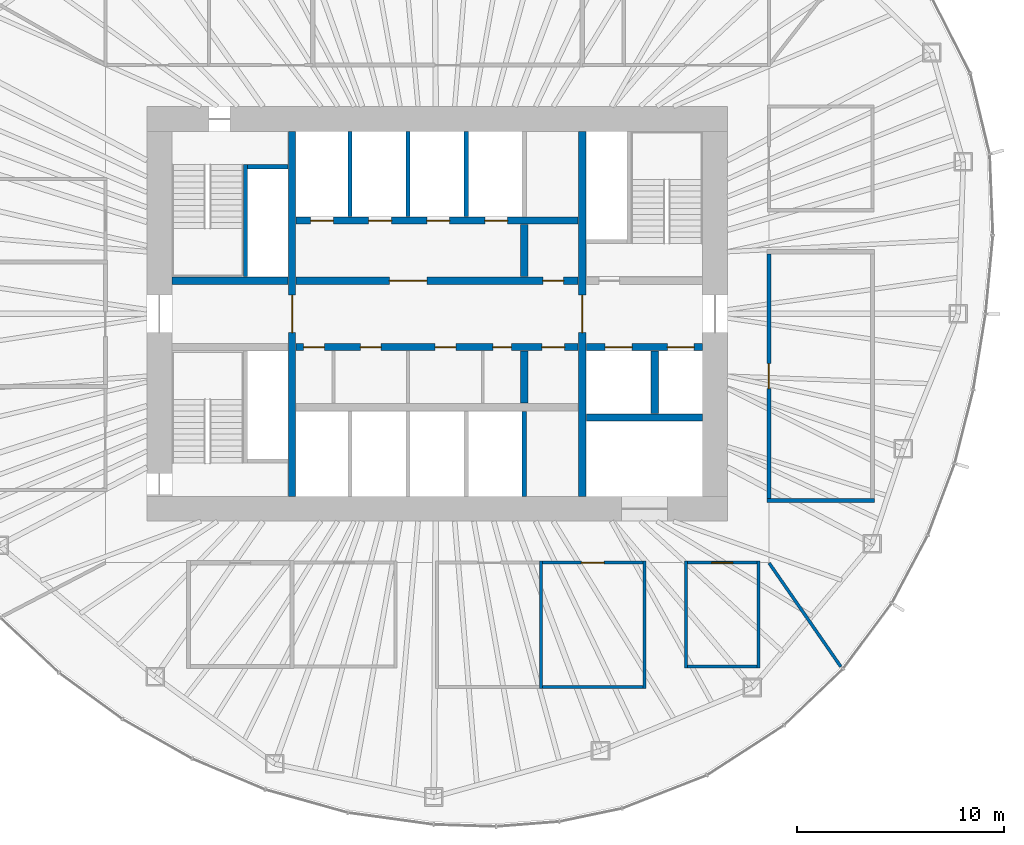
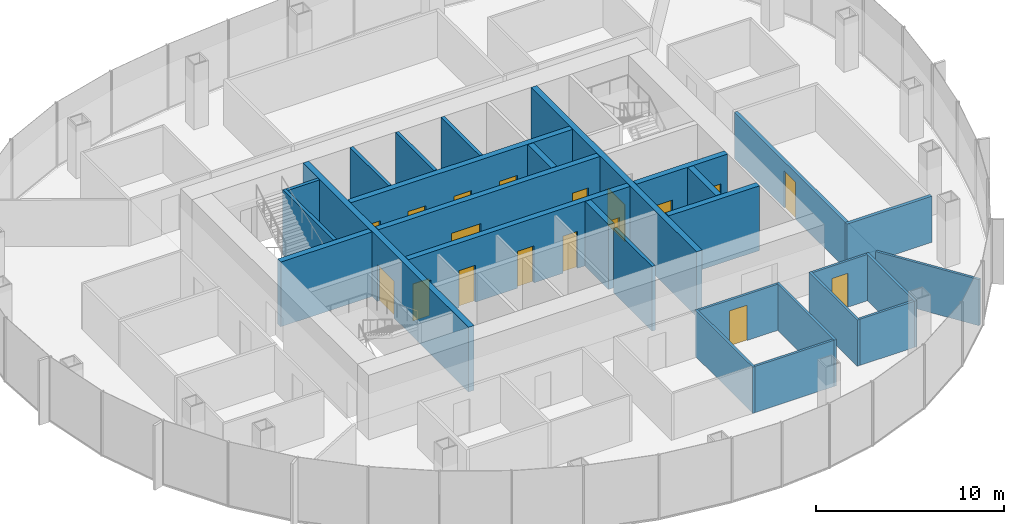
# One storey, part 9 of 11: 28 walls, 18 doors, 18 openings.
"""IFC4 building model written with IfcOpenShell, lengths in metres."""

from ifc_helpers import new_model, si_unit, direction, frame, frame_2d, origin, place, context, subcontext, project, spatial, rectangle, extrude, material, layer, layer_set, type_object, element, fill, save


model = new_model("IFC4")

# Units and contexts
model_context = context("Model", 3, precision=1e-05, world=origin(), true_north=direction((0.0, 1.0)))
body_context = subcontext(model_context, "Body", "Model", "MODEL_VIEW")
ifc_project = project(units=[si_unit("LENGTHUNIT", "METRE"), si_unit("AREAUNIT", "SQUARE_METRE"), si_unit("VOLUMEUNIT", "CUBIC_METRE"), si_unit("PLANEANGLEUNIT", "RADIAN"), si_unit("MASSUNIT", "GRAM", prefix="KILO")], contexts=[model_context])

# Site, building, storey
site_placement = place(None, origin())
site = spatial("IfcSite", under=ifc_project, at=site_placement, CompositionType="ELEMENT")
building_placement = place(site_placement, origin())
building = spatial("IfcBuilding", under=site, at=building_placement, Name="Ghaith Harvest Tower", CompositionType="ELEMENT")
storey_placement = place(building_placement, frame((0.0, 0.0, 262.0)))
storey = spatial("IfcBuildingStorey", under=building, at=storey_placement, Name="L58", CompositionType="ELEMENT", Elevation=262.0)

# Wall
ifc_material_1 = material(Name="Twin-stud gypsum board, acoustic", Category="gypsum")
ifc_layer_1 = layer(ifc_material_1, 0.199951171875)
ifc_layer_set_1 = layer_set([ifc_layer_1], Name="ACOUSTIC PARTITION 200")
wall_type_1 = type_object("IfcWallType", Name="ACOUSTIC PARTITION 200", PredefinedType="PARTITIONING", material=ifc_layer_set_1)
wall_1_placement = place(storey_placement, frame((15.89990234375, -9.0, 0.0), z_axis=(0.0, 0.0, 1.0), x_axis=(1.0, 0.0, 0.0)))
element("IfcWall", 1, at=wall_1_placement, inside=storey, type_object=wall_type_1, Name="Partition L58 row E4 cross wall 1", PredefinedType="PARTITIONING", context=body_context, shape_type="SweptSolid", body=[
    extrude(rectangle(XDim=5.2001953125, YDim=0.199951171875, at=frame_2d((2.60009765625, 0.0))), origin(), (0.0, 0.0, 1.0), 3.0),
])

# Wall, opening, door
wall_2_placement = place(storey_placement, frame((16.0, -8.89990234375, 0.0), z_axis=(0.0, 0.0, 1.0), x_axis=(0.0, 1.0, 0.0)))
wall_2 = element("IfcWall", 2, at=wall_2_placement, inside=storey, type_object=wall_type_1, Name="Partition L58-04", PredefinedType="PARTITIONING", context=body_context, shape_type="SweptSolid", body=[
    extrude(rectangle(XDim=11.7998046875, YDim=0.199951171875, at=frame_2d((5.89990234375, 0.0))), origin(), (0.0, 0.0, 1.0), 3.0),
])
opening_1_placement = place(wall_2_placement, frame((5.300048828125, 0.0, 0.0)))
opening_1 = element("IfcOpeningElement", 3, at=opening_1_placement, cuts=wall_2, Name="Opening 58-025", PredefinedType="OPENING", context=body_context, shape_type="SweptSolid", body=[
    extrude(rectangle(XDim=1.199951171875, YDim=2.39990234375, at=frame_2d((0.60009765625, 1.199951171875))), frame((0.0, 0.10986328125, 0.0), z_axis=(0.0, -1.0, 0.0), x_axis=(1.0, 0.0, 0.0)), (0.0, 0.0, 1.0), 0.219970703125),
])
ifc_material_2 = material(Name="Timber door", Category="wood")
door_type_1 = type_object("IfcDoorType", Name="D11 GLAZED 1200x2400", OperationType="SINGLE_SWING_LEFT", PredefinedType="DOOR", material=ifc_material_2)
door_1_placement = place(opening_1_placement, origin())
door_1 = element("IfcDoor", 4, at=door_1_placement, inside=storey, type_object=door_type_1, Name="Majlis reception room door", OperationType="SINGLE_SWING_LEFT", OverallHeight=2.39990234375, OverallWidth=1.199951171875, PredefinedType="DOOR", context=body_context, shape_type="SweptSolid", body=[
    extrude(rectangle(XDim=1.199951171875, YDim=2.39990234375, at=frame_2d((0.60009765625, 1.199951171875))), frame((0.0, 0.02490234375, 0.0), z_axis=(0.0, -1.0, 0.0), x_axis=(1.0, 0.0, 0.0)), (0.0, 0.0, 1.0), 0.050048828125),
])
fill(opening_1, door_1)

# Walls
ifc_material_3 = material(Name="Concrete blockwork, 2-hour", Category="masonry")
ifc_layer_2 = layer(ifc_material_3, 0.199951171875)
ifc_layer_set_2 = layer_set([ifc_layer_2], Name="LIFT SHAFT WALL 200")
wall_type_2 = type_object("IfcWallType", Name="LIFT SHAFT WALL 200", PredefinedType="PARTITIONING", material=ifc_layer_set_2)
for number, where, z_axis, x_axis, name in (
    (5, (-4.199951171875, 4.699951171875, 0.0), (0.0, 0.0, 1.0), (0.0, 1.0, 0.0), "Lift shaft wall L58"),
    (6, (-1.39990234375, 4.699951171875, 0.0), (0.0, 0.0, 1.0), (0.0, 1.0, 0.0), "Lift shaft wall L58"),
    (7, (1.39990234375, 4.699951171875, 0.0), (0.0, 0.0, 1.0), (0.0, 1.0, 0.0), "Lift shaft wall L58"),
    (8, (4.199951171875, -4.699951171875, 0.0), (0.0, 0.0, 1.0), (0.0, -1.0, 0.0), "Lift shaft wall L58"),
):
    element("IfcWall", number, at=place(storey_placement, frame(where, z_axis=z_axis, x_axis=x_axis)), inside=storey, type_object=wall_type_2, Name=name, PredefinedType="PARTITIONING", context=body_context, shape_type="SweptSolid", body=[
        extrude(rectangle(XDim=4.10009765625, YDim=0.199951171875, at=frame_2d((2.050048828125, 0.0))), origin(), (0.0, 0.0, 1.0), 4.199951171875),
    ])
ifc_material_4 = material(Name="Gypsum board on steel studs", Category="steel")
ifc_layer_3 = layer(ifc_material_4, 0.14990234375)
ifc_layer_set_3 = layer_set([ifc_layer_3], Name="PARTITION 150")
wall_type_3 = type_object("IfcWallType", Name="PARTITION 150", PredefinedType="PARTITIONING", material=ifc_layer_set_3)
for number, where, z_axis, x_axis, name in (
    (9, (5.0, -11.925048828125, 0.0), (0.0, 0.0, 1.0), (0.0, -1.0, 0.0), "Partition L58 row S6 cross wall 2"),
    (10, (10.0, -11.925048828125, 0.0), (0.0, 0.0, 1.0), (0.0, -1.0, 0.0), "Partition L58 row S6 cross wall 3"),
):
    element("IfcWall", number, at=place(storey_placement, frame(where, z_axis=z_axis, x_axis=x_axis)), inside=storey, type_object=wall_type_3, Name=name, PredefinedType="PARTITIONING", context=body_context, shape_type="SweptSolid", body=[
        extrude(rectangle(XDim=6.14990234375, YDim=0.14990234375, at=frame_2d((3.074951171875, 0.0))), origin(), (0.0, 0.0, 1.0), 3.0),
    ])

# Wall, opening, door
wall_3_placement = place(storey_placement, frame((5.074951171875, -12.0, 0.0), z_axis=(0.0, 0.0, 1.0), x_axis=(1.0, 0.0, 0.0)))
wall_3 = element("IfcWall", 11, at=wall_3_placement, inside=storey, type_object=wall_type_3, Name="Partition L58-08", PredefinedType="PARTITIONING", context=body_context, shape_type="SweptSolid", body=[
    extrude(rectangle(XDim=4.85009765625, YDim=0.14990234375, at=frame_2d((2.425048828125, 0.0))), origin(), (0.0, 0.0, 1.0), 3.0),
])
opening_2_placement = place(wall_3_placement, frame((1.875, 0.0, 0.0)))
opening_2 = element("IfcOpeningElement", 12, at=opening_2_placement, cuts=wall_3, Name="Opening 58-029", PredefinedType="OPENING", context=body_context, shape_type="SweptSolid", body=[
    extrude(rectangle(XDim=1.10009765625, YDim=2.300048828125, at=frame_2d((0.550048828125, 1.14990234375))), frame((0.0, 0.0849609375, 0.0), z_axis=(0.0, -1.0, 0.0), x_axis=(1.0, 0.0, 0.0)), (0.0, 0.0, 1.0), 0.169921875),
])
ifc_material_5 = material(Name="Timber-framed glazed door", Category="wood")
door_type_2 = type_object("IfcDoorType", Name="D12 GLAZED OFFICE 1100x2300", OperationType="SINGLE_SWING_LEFT", PredefinedType="DOOR", material=ifc_material_5)
door_2_placement = place(opening_2_placement, origin())
door_2 = element("IfcDoor", 13, at=door_2_placement, inside=storey, type_object=door_type_2, Name="Office door", OperationType="SINGLE_SWING_LEFT", OverallHeight=2.300048828125, OverallWidth=1.10009765625, PredefinedType="DOOR", context=body_context, shape_type="SweptSolid", body=[
    extrude(rectangle(XDim=1.10009765625, YDim=2.300048828125, at=frame_2d((0.550048828125, 1.14990234375))), frame((0.0, 0.02490234375, 0.0), z_axis=(0.0, -1.0, 0.0), x_axis=(1.0, 0.0, 0.0)), (0.0, 0.0, 1.0), 0.050048828125),
])
fill(opening_2, door_2)

# Walls
wall_4_placement = place(storey_placement, frame((5.074951171875, -18.0, 0.0), z_axis=(0.0, 0.0, 1.0), x_axis=(1.0, 0.0, 0.0)))
element("IfcWall", 14, at=wall_4_placement, inside=storey, type_object=wall_type_3, Name="Partition L58-08", PredefinedType="PARTITIONING", context=body_context, shape_type="SweptSolid", body=[
    extrude(rectangle(XDim=4.85009765625, YDim=0.14990234375, at=frame_2d((2.425048828125, 0.0))), origin(), (0.0, 0.0, 1.0), 3.0),
])
for number, where, z_axis, x_axis, name in (
    (15, (12.0, -11.925048828125, 0.0), (0.0, 0.0, 1.0), (0.0, -1.0, 0.0), "Partition L58 row S8 cross wall 1"),
    (16, (15.5, -11.925048828125, 0.0), (0.0, 0.0, 1.0), (0.0, -1.0, 0.0), "Partition L58 row S8 cross wall 2"),
):
    element("IfcWall", number, at=place(storey_placement, frame(where, z_axis=z_axis, x_axis=x_axis)), inside=storey, type_object=wall_type_3, Name=name, PredefinedType="PARTITIONING", context=body_context, shape_type="SweptSolid", body=[
        extrude(rectangle(XDim=5.14990234375, YDim=0.14990234375, at=frame_2d((2.574951171875, 0.0))), origin(), (0.0, 0.0, 1.0), 3.0),
    ])

# Wall, opening, door
wall_5_placement = place(storey_placement, frame((12.074951171875, -12.0, 0.0), z_axis=(0.0, 0.0, 1.0), x_axis=(1.0, 0.0, 0.0)))
wall_5 = element("IfcWall", 17, at=wall_5_placement, inside=storey, type_object=wall_type_3, Name="Partition L58-12", PredefinedType="PARTITIONING", context=body_context, shape_type="SweptSolid", body=[
    extrude(rectangle(XDim=3.35009765625, YDim=0.14990234375, at=frame_2d((1.675048828125, 0.0))), origin(), (0.0, 0.0, 1.0), 3.0),
])
opening_3_placement = place(wall_5_placement, frame((1.175048828125, 0.0, 0.0)))
opening_3 = element("IfcOpeningElement", 18, at=opening_3_placement, cuts=wall_5, Name="Opening 58-033", PredefinedType="OPENING", context=body_context, shape_type="SweptSolid", body=[
    extrude(rectangle(XDim=1.0, YDim=2.199951171875, at=frame_2d((0.5, 1.10009765625))), frame((0.0, 0.0849609375, 0.0), z_axis=(0.0, -1.0, 0.0), x_axis=(1.0, 0.0, 0.0)), (0.0, 0.0, 1.0), 0.169921875),
])
ifc_material_6 = material(Name="Timber door", Category="wood")
door_type_3 = type_object("IfcDoorType", Name="D1 SINGLE 1000x2200", OperationType="SINGLE_SWING_LEFT", PredefinedType="DOOR", material=ifc_material_6)
door_3_placement = place(opening_3_placement, origin())
door_3 = element("IfcDoor", 19, at=door_3_placement, inside=storey, type_object=door_type_3, Name="Store door", OperationType="SINGLE_SWING_LEFT", OverallHeight=2.199951171875, OverallWidth=1.0, PredefinedType="DOOR", context=body_context, shape_type="SweptSolid", body=[
    extrude(rectangle(XDim=1.0, YDim=2.199951171875, at=frame_2d((0.5, 1.10009765625))), frame((0.0, 0.02490234375, 0.0), z_axis=(0.0, -1.0, 0.0), x_axis=(1.0, 0.0, 0.0)), (0.0, 0.0, 1.0), 0.050048828125),
])
fill(opening_3, door_3)

# Walls
wall_6_placement = place(storey_placement, frame((12.074951171875, -17.0, 0.0), z_axis=(0.0, 0.0, 1.0), x_axis=(1.0, 0.0, 0.0)))
element("IfcWall", 20, at=wall_6_placement, inside=storey, type_object=wall_type_3, Name="Partition L58-12", PredefinedType="PARTITIONING", context=body_context, shape_type="SweptSolid", body=[
    extrude(rectangle(XDim=3.35009765625, YDim=0.14990234375, at=frame_2d((1.675048828125, 0.0))), origin(), (0.0, 0.0, 1.0), 3.0),
])
wall_7_placement = place(storey_placement, frame((16.011474609375, -12.016357421875, 0.0), z_axis=(0.0, 0.0, 1.0), x_axis=(0.568863489071, -0.822431961199, 0.0)))
element("IfcWall", 21, at=wall_7_placement, inside=storey, type_object=wall_type_3, Name="Partition L58 zone division", PredefinedType="PARTITIONING", context=body_context, shape_type="SweptSolid", body=[
    extrude(rectangle(XDim=6.0830078125, YDim=0.14990234375, at=frame_2d((3.04150390625, 0.0))), origin(), (0.0, 0.0, 1.0), 3.0),
])

# Wall, opening, door
ifc_material_7 = material(Name="Concrete C60/75", Category="concrete")
ifc_layer_4 = layer(ifc_material_7, 0.35009765625)
ifc_layer_set_4 = layer_set([ifc_layer_4], Name="SHAFT WALL 350")
wall_type_4 = type_object("IfcWallType", Name="SHAFT WALL 350", PredefinedType="SHEAR", material=ifc_layer_set_4)
wall_8_placement = place(storey_placement, frame((-7.0, -8.800048828125, 0.0), z_axis=(0.0, 0.0, 1.0), x_axis=(0.0, 1.0, 0.0)))
wall_8 = element("IfcWall", 22, at=wall_8_placement, inside=storey, type_object=wall_type_4, Name="Shaft wall W7W L58", PredefinedType="SHEAR", context=body_context, shape_type="SweptSolid", body=[
    extrude(rectangle(XDim=17.60009765625, YDim=0.35009765625, at=frame_2d((8.800048828125, 0.0))), origin(), (0.0, 0.0, 1.0), 4.199951171875),
])
opening_4_placement = place(wall_8_placement, frame((7.89990234375, 0.0, 0.0)))
opening_4 = element("IfcOpeningElement", 23, at=opening_4_placement, cuts=wall_8, Name="Opening 58-003", PredefinedType="OPENING", context=body_context, shape_type="SweptSolid", body=[
    extrude(rectangle(XDim=1.800048828125, YDim=2.39990234375, at=frame_2d((0.89990234375, 1.199951171875))), frame((0.0, 0.18505859375, 0.0), z_axis=(0.0, -1.0, 0.0), x_axis=(1.0, 0.0, 0.0)), (0.0, 0.0, 1.0), 0.3701171875),
])
ifc_material_8 = material(Name="Steel fire door", Category="steel")
door_type_4 = type_object("IfcDoorType", Name="D4 FD90 PAIR 1800x2400", OperationType="DOUBLE_DOOR_SINGLE_SWING", PredefinedType="DOOR", material=ifc_material_8)
door_4_placement = place(opening_4_placement, origin())
door_4 = element("IfcDoor", 24, at=door_4_placement, inside=storey, type_object=door_type_4, Name="Lift lobby doors, west", OperationType="DOUBLE_DOOR_SINGLE_SWING", OverallHeight=2.39990234375, OverallWidth=1.800048828125, PredefinedType="DOOR", context=body_context, shape_type="SweptSolid", body=[
    extrude(rectangle(XDim=1.800048828125, YDim=2.39990234375, at=frame_2d((0.89990234375, 1.199951171875))), frame((0.0, 0.02490234375, 0.0), z_axis=(0.0, -1.0, 0.0), x_axis=(1.0, 0.0, 0.0)), (0.0, 0.0, 1.0), 0.050048828125),
])
fill(opening_4, door_4)

wall_9_placement = place(storey_placement, frame((7.0, -8.800048828125, 0.0), z_axis=(0.0, 0.0, 1.0), x_axis=(0.0, 1.0, 0.0)))
wall_9 = element("IfcWall", 25, at=wall_9_placement, inside=storey, type_object=wall_type_4, Name="Shaft wall W7E L58", PredefinedType="SHEAR", context=body_context, shape_type="SweptSolid", body=[
    extrude(rectangle(XDim=17.60009765625, YDim=0.35009765625, at=frame_2d((8.800048828125, 0.0))), origin(), (0.0, 0.0, 1.0), 4.199951171875),
])
opening_5_placement = place(wall_9_placement, frame((7.89990234375, 0.0, 0.0)))
opening_5 = element("IfcOpeningElement", 26, at=opening_5_placement, cuts=wall_9, Name="Opening 58-004", PredefinedType="OPENING", context=body_context, shape_type="SweptSolid", body=[
    extrude(rectangle(XDim=1.800048828125, YDim=2.39990234375, at=frame_2d((0.89990234375, 1.199951171875))), frame((0.0, 0.18505859375, 0.0), z_axis=(0.0, -1.0, 0.0), x_axis=(1.0, 0.0, 0.0)), (0.0, 0.0, 1.0), 0.3701171875),
])
door_5_placement = place(opening_5_placement, origin())
door_5 = element("IfcDoor", 27, at=door_5_placement, inside=storey, type_object=door_type_4, Name="Lift lobby doors, east", OperationType="DOUBLE_DOOR_SINGLE_SWING", OverallHeight=2.39990234375, OverallWidth=1.800048828125, PredefinedType="DOOR", context=body_context, shape_type="SweptSolid", body=[
    extrude(rectangle(XDim=1.800048828125, YDim=2.39990234375, at=frame_2d((0.89990234375, 1.199951171875))), frame((0.0, 0.02490234375, 0.0), z_axis=(0.0, -1.0, 0.0), x_axis=(1.0, 0.0, 0.0)), (0.0, 0.0, 1.0), 0.050048828125),
])
fill(opening_5, door_5)

# Wall, openings, doors
wall_10_placement = place(storey_placement, frame((-6.800048828125, 1.60009765625, 0.0), z_axis=(0.0, 0.0, 1.0), x_axis=(1.0, 0.0, 0.0)))
wall_10 = element("IfcWall", 28, at=wall_10_placement, inside=storey, type_object=wall_type_4, Name="Shaft wall LN L58", PredefinedType="SHEAR", context=body_context, shape_type="SweptSolid", body=[
    extrude(rectangle(XDim=13.60009765625, YDim=0.35009765625, at=frame_2d((6.800048828125, 0.0))), origin(), (0.0, 0.0, 1.0), 4.199951171875),
])
opening_6_placement = place(wall_10_placement, frame((11.89990234375, 0.0, 0.0)))
opening_6 = element("IfcOpeningElement", 29, at=opening_6_placement, cuts=wall_10, Name="Opening 58-012", PredefinedType="OPENING", context=body_context, shape_type="SweptSolid", body=[
    extrude(rectangle(XDim=1.0, YDim=2.39990234375, at=frame_2d((0.5, 1.199951171875))), frame((0.0, 0.18505859375, 0.0), z_axis=(0.0, -1.0, 0.0), x_axis=(1.0, 0.0, 0.0)), (0.0, 0.0, 1.0), 0.3701171875),
])
opening_7_placement = place(wall_10_placement, frame((4.5, 0.0, 0.0)))
opening_7 = element("IfcOpeningElement", 30, at=opening_7_placement, cuts=wall_10, Name="Opening 58-014", PredefinedType="OPENING", context=body_context, shape_type="SweptSolid", body=[
    extrude(rectangle(XDim=1.800048828125, YDim=2.39990234375, at=frame_2d((0.89990234375, 1.199951171875))), frame((0.0, 0.18505859375, 0.0), z_axis=(0.0, -1.0, 0.0), x_axis=(1.0, 0.0, 0.0)), (0.0, 0.0, 1.0), 0.3701171875),
])
ifc_material_9 = material(Name="Steel fire door", Category="steel")
door_type_5 = type_object("IfcDoorType", Name="D3 FD90 1000x2400", OperationType="SINGLE_SWING_LEFT", PredefinedType="DOOR", material=ifc_material_9)
door_6_placement = place(opening_6_placement, origin())
door_6 = element("IfcDoor", 31, at=door_6_placement, inside=storey, type_object=door_type_5, Name="Electrical room door", OperationType="SINGLE_SWING_RIGHT", OverallHeight=2.39990234375, OverallWidth=1.0, PredefinedType="DOOR", context=body_context, shape_type="SweptSolid", body=[
    extrude(rectangle(XDim=1.0, YDim=2.39990234375, at=frame_2d((0.5, 1.199951171875))), frame((0.0, 0.02490234375, 0.0), z_axis=(0.0, -1.0, 0.0), x_axis=(1.0, 0.0, 0.0)), (0.0, 0.0, 1.0), 0.050048828125),
])
fill(opening_6, door_6)
door_7_placement = place(opening_7_placement, origin())
door_7 = element("IfcDoor", 32, at=door_7_placement, inside=storey, type_object=door_type_4, Name="Lift lobby doors, high-rise bank", OperationType="DOUBLE_DOOR_SINGLE_SWING", OverallHeight=2.39990234375, OverallWidth=1.800048828125, PredefinedType="DOOR", context=body_context, shape_type="SweptSolid", body=[
    extrude(rectangle(XDim=1.800048828125, YDim=2.39990234375, at=frame_2d((0.89990234375, 1.199951171875))), frame((0.0, 0.02490234375, 0.0), z_axis=(0.0, -1.0, 0.0), x_axis=(1.0, 0.0, 0.0)), (0.0, 0.0, 1.0), 0.050048828125),
])
fill(opening_7, door_7)

wall_11_placement = place(storey_placement, frame((-6.800048828125, -1.60009765625, 0.0), z_axis=(0.0, 0.0, 1.0), x_axis=(1.0, 0.0, 0.0)))
wall_11 = element("IfcWall", 33, at=wall_11_placement, inside=storey, type_object=wall_type_4, Name="Shaft wall LS L58", PredefinedType="SHEAR", context=body_context, shape_type="SweptSolid", body=[
    extrude(rectangle(XDim=13.60009765625, YDim=0.35009765625, at=frame_2d((6.800048828125, 0.0))), origin(), (0.0, 0.0, 1.0), 4.199951171875),
])
opening_8_placement = place(wall_11_placement, frame((0.364990234375, 0.0, 0.0)))
opening_8 = element("IfcOpeningElement", 34, at=opening_8_placement, cuts=wall_11, Name="Opening 58-008", PredefinedType="OPENING", context=body_context, shape_type="SweptSolid", body=[
    extrude(rectangle(XDim=1.0, YDim=2.39990234375, at=frame_2d((0.5, 1.199951171875))), frame((0.0, 0.18505859375, 0.0), z_axis=(0.0, -1.0, 0.0), x_axis=(1.0, 0.0, 0.0)), (0.0, 0.0, 1.0), 0.3701171875),
])
opening_9_placement = place(wall_11_placement, frame((3.10009765625, 0.0, 0.0)))
opening_9 = element("IfcOpeningElement", 35, at=opening_9_placement, cuts=wall_11, Name="Opening 58-009", PredefinedType="OPENING", context=body_context, shape_type="SweptSolid", body=[
    extrude(rectangle(XDim=1.0, YDim=2.39990234375, at=frame_2d((0.5, 1.199951171875))), frame((0.0, 0.18505859375, 0.0), z_axis=(0.0, -1.0, 0.0), x_axis=(1.0, 0.0, 0.0)), (0.0, 0.0, 1.0), 0.3701171875),
])
opening_10_placement = place(wall_11_placement, frame((6.699951171875, 0.0, 0.0)))
opening_10 = element("IfcOpeningElement", 36, at=opening_10_placement, cuts=wall_11, Name="Opening 58-010", PredefinedType="OPENING", context=body_context, shape_type="SweptSolid", body=[
    extrude(rectangle(XDim=1.0, YDim=2.39990234375, at=frame_2d((0.5, 1.199951171875))), frame((0.0, 0.18505859375, 0.0), z_axis=(0.0, -1.0, 0.0), x_axis=(1.0, 0.0, 0.0)), (0.0, 0.0, 1.0), 0.3701171875),
])
opening_11_placement = place(wall_11_placement, frame((9.485107421875, 0.0, 0.0)))
opening_11 = element("IfcOpeningElement", 37, at=opening_11_placement, cuts=wall_11, Name="Opening 58-011", PredefinedType="OPENING", context=body_context, shape_type="SweptSolid", body=[
    extrude(rectangle(XDim=0.89990234375, YDim=2.39990234375, at=frame_2d((0.449951171875, 1.199951171875))), frame((0.0, 0.18505859375, 0.0), z_axis=(0.0, -1.0, 0.0), x_axis=(1.0, 0.0, 0.0)), (0.0, 0.0, 1.0), 0.3701171875),
])
opening_12_placement = place(wall_11_placement, frame((11.85009765625, 0.0, 0.0)))
opening_12 = element("IfcOpeningElement", 38, at=opening_12_placement, cuts=wall_11, Name="Opening 58-013", PredefinedType="OPENING", context=body_context, shape_type="SweptSolid", body=[
    extrude(rectangle(XDim=1.10009765625, YDim=2.39990234375, at=frame_2d((0.550048828125, 1.199951171875))), frame((0.0, 0.18505859375, 0.0), z_axis=(0.0, -1.0, 0.0), x_axis=(1.0, 0.0, 0.0)), (0.0, 0.0, 1.0), 0.3701171875),
])
door_8_placement = place(opening_8_placement, origin())
door_8 = element("IfcDoor", 39, at=door_8_placement, inside=storey, type_object=door_type_5, Name="Tenant store door", OperationType="SINGLE_SWING_LEFT", OverallHeight=2.39990234375, OverallWidth=1.0, PredefinedType="DOOR", context=body_context, shape_type="SweptSolid", body=[
    extrude(rectangle(XDim=1.0, YDim=2.39990234375, at=frame_2d((0.5, 1.199951171875))), frame((0.0, 0.02490234375, 0.0), z_axis=(0.0, -1.0, 0.0), x_axis=(1.0, 0.0, 0.0)), (0.0, 0.0, 1.0), 0.050048828125),
])
fill(opening_8, door_8)
door_9_placement = place(opening_9_placement, origin())
door_9 = element("IfcDoor", 40, at=door_9_placement, inside=storey, type_object=door_type_5, Name="Female WC door", OperationType="SINGLE_SWING_LEFT", OverallHeight=2.39990234375, OverallWidth=1.0, PredefinedType="DOOR", context=body_context, shape_type="SweptSolid", body=[
    extrude(rectangle(XDim=1.0, YDim=2.39990234375, at=frame_2d((0.5, 1.199951171875))), frame((0.0, 0.02490234375, 0.0), z_axis=(0.0, -1.0, 0.0), x_axis=(1.0, 0.0, 0.0)), (0.0, 0.0, 1.0), 0.050048828125),
])
fill(opening_9, door_9)
door_10_placement = place(opening_10_placement, origin())
door_10 = element("IfcDoor", 41, at=door_10_placement, inside=storey, type_object=door_type_5, Name="Male WC door", OperationType="SINGLE_SWING_RIGHT", OverallHeight=2.39990234375, OverallWidth=1.0, PredefinedType="DOOR", context=body_context, shape_type="SweptSolid", body=[
    extrude(rectangle(XDim=1.0, YDim=2.39990234375, at=frame_2d((0.5, 1.199951171875))), frame((0.0, 0.02490234375, 0.0), z_axis=(0.0, -1.0, 0.0), x_axis=(1.0, 0.0, 0.0)), (0.0, 0.0, 1.0), 0.050048828125),
])
fill(opening_10, door_10)
ifc_material_10 = material(Name="Steel fire door", Category="steel")
door_type_6 = type_object("IfcDoorType", Name="D5 FD90 900x2400", OperationType="SINGLE_SWING_LEFT", PredefinedType="DOOR", material=ifc_material_10)
door_11_placement = place(opening_11_placement, origin())
door_11 = element("IfcDoor", 42, at=door_11_placement, inside=storey, type_object=door_type_6, Name="Cleaner's store door", OperationType="SINGLE_SWING_RIGHT", OverallHeight=2.39990234375, OverallWidth=0.89990234375, PredefinedType="DOOR", context=body_context, shape_type="SweptSolid", body=[
    extrude(rectangle(XDim=0.89990234375, YDim=2.39990234375, at=frame_2d((0.449951171875, 1.199951171875))), frame((0.0, 0.02490234375, 0.0), z_axis=(0.0, -1.0, 0.0), x_axis=(1.0, 0.0, 0.0)), (0.0, 0.0, 1.0), 0.050048828125),
])
fill(opening_11, door_11)
ifc_material_11 = material(Name="Steel fire door", Category="steel")
door_type_7 = type_object("IfcDoorType", Name="D9 FD90 1100x2400", OperationType="SINGLE_SWING_LEFT", PredefinedType="DOOR", material=ifc_material_11)
door_12_placement = place(opening_12_placement, origin())
door_12 = element("IfcDoor", 43, at=door_12_placement, inside=storey, type_object=door_type_7, Name="Accessible WC door", OperationType="SINGLE_SWING_RIGHT", OverallHeight=2.39990234375, OverallWidth=1.10009765625, PredefinedType="DOOR", context=body_context, shape_type="SweptSolid", body=[
    extrude(rectangle(XDim=1.10009765625, YDim=2.39990234375, at=frame_2d((0.550048828125, 1.199951171875))), frame((0.0, 0.02490234375, 0.0), z_axis=(0.0, -1.0, 0.0), x_axis=(1.0, 0.0, 0.0)), (0.0, 0.0, 1.0), 0.050048828125),
])
fill(opening_12, door_12)

wall_12_placement = place(storey_placement, frame((-6.800048828125, 4.5, 0.0), z_axis=(0.0, 0.0, 1.0), x_axis=(1.0, 0.0, 0.0)))
wall_12 = element("IfcWall", 44, at=wall_12_placement, inside=storey, type_object=wall_type_4, Name="Shaft wall BN L58", PredefinedType="SHEAR", context=body_context, shape_type="SweptSolid", body=[
    extrude(rectangle(XDim=13.60009765625, YDim=0.35009765625, at=frame_2d((6.800048828125, 0.0))), origin(), (0.0, 0.0, 1.0), 4.199951171875),
])
opening_13_placement = place(wall_12_placement, frame((0.699951171875, 0.0, 0.0)))
opening_13 = element("IfcOpeningElement", 45, at=opening_13_placement, cuts=wall_12, Name="Opening 58-015", PredefinedType="OPENING", context=body_context, shape_type="SweptSolid", body=[
    extrude(rectangle(XDim=1.10009765625, YDim=2.39990234375, at=frame_2d((0.550048828125, 1.199951171875))), frame((0.0, 0.18505859375, 0.0), z_axis=(0.0, -1.0, 0.0), x_axis=(1.0, 0.0, 0.0)), (0.0, 0.0, 1.0), 0.3701171875),
])
opening_14_placement = place(wall_12_placement, frame((3.5, 0.0, 0.0)))
opening_14 = element("IfcOpeningElement", 46, at=opening_14_placement, cuts=wall_12, Name="Opening 58-016", PredefinedType="OPENING", context=body_context, shape_type="SweptSolid", body=[
    extrude(rectangle(XDim=1.10009765625, YDim=2.39990234375, at=frame_2d((0.550048828125, 1.199951171875))), frame((0.0, 0.18505859375, 0.0), z_axis=(0.0, -1.0, 0.0), x_axis=(1.0, 0.0, 0.0)), (0.0, 0.0, 1.0), 0.3701171875),
])
opening_15_placement = place(wall_12_placement, frame((6.300048828125, 0.0, 0.0)))
opening_15 = element("IfcOpeningElement", 47, at=opening_15_placement, cuts=wall_12, Name="Opening 58-017", PredefinedType="OPENING", context=body_context, shape_type="SweptSolid", body=[
    extrude(rectangle(XDim=1.10009765625, YDim=2.39990234375, at=frame_2d((0.550048828125, 1.199951171875))), frame((0.0, 0.18505859375, 0.0), z_axis=(0.0, -1.0, 0.0), x_axis=(1.0, 0.0, 0.0)), (0.0, 0.0, 1.0), 0.3701171875),
])
opening_16_placement = place(wall_12_placement, frame((9.10009765625, 0.0, 0.0)))
opening_16 = element("IfcOpeningElement", 48, at=opening_16_placement, cuts=wall_12, Name="Opening 58-018", PredefinedType="OPENING", context=body_context, shape_type="SweptSolid", body=[
    extrude(rectangle(XDim=1.10009765625, YDim=2.39990234375, at=frame_2d((0.550048828125, 1.199951171875))), frame((0.0, 0.18505859375, 0.0), z_axis=(0.0, -1.0, 0.0), x_axis=(1.0, 0.0, 0.0)), (0.0, 0.0, 1.0), 0.3701171875),
])
ifc_material_12 = material(Name="Steel fire door", Category="steel")
door_type_8 = type_object("IfcDoorType", Name="LD1 LANDING 1100x2400", OperationType="DOUBLE_DOOR_SLIDING", PredefinedType="DOOR", material=ifc_material_12)
door_13_placement = place(opening_13_placement, origin())
door_13 = element("IfcDoor", 49, at=door_13_placement, inside=storey, type_object=door_type_8, Name="Landing door, lift HR1", OperationType="DOUBLE_DOOR_SLIDING", OverallHeight=2.39990234375, OverallWidth=1.10009765625, PredefinedType="DOOR", context=body_context, shape_type="SweptSolid", body=[
    extrude(rectangle(XDim=1.10009765625, YDim=2.39990234375, at=frame_2d((0.550048828125, 1.199951171875))), frame((0.0, 0.02490234375, 0.0), z_axis=(0.0, -1.0, 0.0), x_axis=(1.0, 0.0, 0.0)), (0.0, 0.0, 1.0), 0.050048828125),
])
fill(opening_13, door_13)
door_14_placement = place(opening_14_placement, origin())
door_14 = element("IfcDoor", 50, at=door_14_placement, inside=storey, type_object=door_type_8, Name="Landing door, lift HR2", OperationType="DOUBLE_DOOR_SLIDING", OverallHeight=2.39990234375, OverallWidth=1.10009765625, PredefinedType="DOOR", context=body_context, shape_type="SweptSolid", body=[
    extrude(rectangle(XDim=1.10009765625, YDim=2.39990234375, at=frame_2d((0.550048828125, 1.199951171875))), frame((0.0, 0.02490234375, 0.0), z_axis=(0.0, -1.0, 0.0), x_axis=(1.0, 0.0, 0.0)), (0.0, 0.0, 1.0), 0.050048828125),
])
fill(opening_14, door_14)
door_15_placement = place(opening_15_placement, origin())
door_15 = element("IfcDoor", 51, at=door_15_placement, inside=storey, type_object=door_type_8, Name="Landing door, lift HR3", OperationType="DOUBLE_DOOR_SLIDING", OverallHeight=2.39990234375, OverallWidth=1.10009765625, PredefinedType="DOOR", context=body_context, shape_type="SweptSolid", body=[
    extrude(rectangle(XDim=1.10009765625, YDim=2.39990234375, at=frame_2d((0.550048828125, 1.199951171875))), frame((0.0, 0.02490234375, 0.0), z_axis=(0.0, -1.0, 0.0), x_axis=(1.0, 0.0, 0.0)), (0.0, 0.0, 1.0), 0.050048828125),
])
fill(opening_15, door_15)
door_16_placement = place(opening_16_placement, origin())
door_16 = element("IfcDoor", 52, at=door_16_placement, inside=storey, type_object=door_type_8, Name="Landing door, lift HR4", OperationType="DOUBLE_DOOR_SLIDING", OverallHeight=2.39990234375, OverallWidth=1.10009765625, PredefinedType="DOOR", context=body_context, shape_type="SweptSolid", body=[
    extrude(rectangle(XDim=1.10009765625, YDim=2.39990234375, at=frame_2d((0.550048828125, 1.199951171875))), frame((0.0, 0.02490234375, 0.0), z_axis=(0.0, -1.0, 0.0), x_axis=(1.0, 0.0, 0.0)), (0.0, 0.0, 1.0), 0.050048828125),
])
fill(opening_16, door_16)

# Wall
wall_13_placement = place(storey_placement, frame((-12.800048828125, 1.60009765625, 0.0), z_axis=(0.0, 0.0, 1.0), x_axis=(1.0, 0.0, 0.0)))
element("IfcWall", 53, at=wall_13_placement, inside=storey, type_object=wall_type_4, Name="Shaft wall WN L58", PredefinedType="SHEAR", context=body_context, shape_type="SweptSolid", body=[
    extrude(rectangle(XDim=5.60009765625, YDim=0.35009765625, at=frame_2d((2.800048828125, 0.0))), origin(), (0.0, 0.0, 1.0), 4.199951171875),
])

# Wall, openings, doors
wall_14_placement = place(storey_placement, frame((7.199951171875, -1.60009765625, 0.0), z_axis=(0.0, 0.0, 1.0), x_axis=(1.0, 0.0, 0.0)))
wall_14 = element("IfcWall", 54, at=wall_14_placement, inside=storey, type_object=wall_type_4, Name="Shaft wall ES L58", PredefinedType="SHEAR", context=body_context, shape_type="SweptSolid", body=[
    extrude(rectangle(XDim=5.60009765625, YDim=0.35009765625, at=frame_2d((2.800048828125, 0.0))), origin(), (0.0, 0.0, 1.0), 4.199951171875),
])
opening_17_placement = place(wall_14_placement, frame((0.89990234375, 0.0, 0.0)))
opening_17 = element("IfcOpeningElement", 55, at=opening_17_placement, cuts=wall_14, Name="Opening 58-019", PredefinedType="OPENING", context=body_context, shape_type="SweptSolid", body=[
    extrude(rectangle(XDim=1.300048828125, YDim=2.39990234375, at=frame_2d((0.64990234375, 1.199951171875))), frame((0.0, 0.18505859375, 0.0), z_axis=(0.0, -1.0, 0.0), x_axis=(1.0, 0.0, 0.0)), (0.0, 0.0, 1.0), 0.3701171875),
])
opening_18_placement = place(wall_14_placement, frame((3.89990234375, 0.0, 0.0)))
opening_18 = element("IfcOpeningElement", 56, at=opening_18_placement, cuts=wall_14, Name="Opening 58-020", PredefinedType="OPENING", context=body_context, shape_type="SweptSolid", body=[
    extrude(rectangle(XDim=1.300048828125, YDim=2.39990234375, at=frame_2d((0.64990234375, 1.199951171875))), frame((0.0, 0.18505859375, 0.0), z_axis=(0.0, -1.0, 0.0), x_axis=(1.0, 0.0, 0.0)), (0.0, 0.0, 1.0), 0.3701171875),
])
ifc_material_13 = material(Name="Steel fire door", Category="steel")
door_type_9 = type_object("IfcDoorType", Name="LD2 LANDING 1300x2400", OperationType="DOUBLE_DOOR_SLIDING", PredefinedType="DOOR", material=ifc_material_13)
door_17_placement = place(opening_17_placement, origin())
door_17 = element("IfcDoor", 57, at=door_17_placement, inside=storey, type_object=door_type_9, Name="Landing door, fire service lift FL1", OperationType="DOUBLE_DOOR_SLIDING", OverallHeight=2.39990234375, OverallWidth=1.300048828125, PredefinedType="DOOR", context=body_context, shape_type="SweptSolid", body=[
    extrude(rectangle(XDim=1.300048828125, YDim=2.39990234375, at=frame_2d((0.64990234375, 1.199951171875))), frame((0.0, 0.02490234375, 0.0), z_axis=(0.0, -1.0, 0.0), x_axis=(1.0, 0.0, 0.0)), (0.0, 0.0, 1.0), 0.050048828125),
])
fill(opening_17, door_17)
door_18_placement = place(opening_18_placement, origin())
door_18 = element("IfcDoor", 58, at=door_18_placement, inside=storey, type_object=door_type_9, Name="Landing door, fire service lift FL2", OperationType="DOUBLE_DOOR_SLIDING", OverallHeight=2.39990234375, OverallWidth=1.300048828125, PredefinedType="DOOR", context=body_context, shape_type="SweptSolid", body=[
    extrude(rectangle(XDim=1.300048828125, YDim=2.39990234375, at=frame_2d((0.64990234375, 1.199951171875))), frame((0.0, 0.02490234375, 0.0), z_axis=(0.0, -1.0, 0.0), x_axis=(1.0, 0.0, 0.0)), (0.0, 0.0, 1.0), 0.050048828125),
])
fill(opening_18, door_18)

# Walls
wall_15_placement = place(storey_placement, frame((10.5, -4.800048828125, 0.0), z_axis=(0.0, 0.0, 1.0), x_axis=(0.0, 1.0, 0.0)))
element("IfcWall", 59, at=wall_15_placement, inside=storey, type_object=wall_type_4, Name="Shaft wall FLD L58", PredefinedType="SHEAR", context=body_context, shape_type="SweptSolid", body=[
    extrude(rectangle(XDim=3.0, YDim=0.35009765625, at=frame_2d((1.5, 0.0))), origin(), (0.0, 0.0, 1.0), 4.199951171875),
])
wall_16_placement = place(storey_placement, frame((7.199951171875, -5.0, 0.0), z_axis=(0.0, 0.0, 1.0), x_axis=(1.0, 0.0, 0.0)))
element("IfcWall", 60, at=wall_16_placement, inside=storey, type_object=wall_type_4, Name="Shaft wall FLB L58", PredefinedType="SHEAR", context=body_context, shape_type="SweptSolid", body=[
    extrude(rectangle(XDim=5.60009765625, YDim=0.35009765625, at=frame_2d((2.800048828125, 0.0))), origin(), (0.0, 0.0, 1.0), 4.199951171875),
])
for number, where, z_axis, x_axis, name in (
    (61, (4.199951171875, 1.800048828125, 0.0), (0.0, 0.0, 1.0), (0.0, 1.0, 0.0), "Shaft wall DN4 L58"),
    (62, (4.199951171875, -4.300048828125, 0.0), (0.0, 0.0, 1.0), (0.0, 1.0, 0.0), "Shaft wall DS4 L58"),
):
    element("IfcWall", number, at=place(storey_placement, frame(where, z_axis=z_axis, x_axis=x_axis)), inside=storey, type_object=wall_type_4, Name=name, PredefinedType="SHEAR", context=body_context, shape_type="SweptSolid", body=[
        extrude(rectangle(XDim=2.5, YDim=0.35009765625, at=frame_2d((1.25, 0.0))), origin(), (0.0, 0.0, 1.0), 4.199951171875),
    ])
ifc_material_14 = material(Name="Concrete C40/50", Category="concrete")
ifc_layer_5 = layer(ifc_material_14, 0.199951171875)
ifc_layer_set_5 = layer_set([ifc_layer_5], Name="STAIR SPINE WALL RC200")
wall_type_5 = type_object("IfcWallType", Name="STAIR SPINE WALL RC200", PredefinedType="SOLIDWALL", material=ifc_layer_set_5)
wall_17_placement = place(storey_placement, frame((-9.25, 7.199951171875, 0.0), z_axis=(0.0, 0.0, 1.0), x_axis=(0.0, -1.0, 0.0)))
element("IfcWall", 63, at=wall_17_placement, inside=storey, type_object=wall_type_5, Name="Stair ST1 spine wall L58", PredefinedType="SOLIDWALL", context=body_context, shape_type="SweptSolid", body=[
    extrude(rectangle(XDim=5.39990234375, YDim=0.199951171875, at=frame_2d((2.699951171875, 0.0))), origin(), (0.0, 0.0, 1.0), 4.199951171875),
])
wall_18_placement = place(storey_placement, frame((-9.14990234375, 7.10009765625, 0.0), z_axis=(0.0, 0.0, 1.0), x_axis=(1.0, 0.0, 0.0)))
element("IfcWall", 64, at=wall_18_placement, inside=storey, type_object=wall_type_5, Name="Stair ST1 spine wall return L58", PredefinedType="SOLIDWALL", context=body_context, shape_type="SweptSolid", body=[
    extrude(rectangle(XDim=1.949951171875, YDim=0.199951171875, at=frame_2d((0.97509765625, 0.0))), origin(), (0.0, 0.0, 1.0), 4.199951171875),
])

save(model, "model.ifc")
